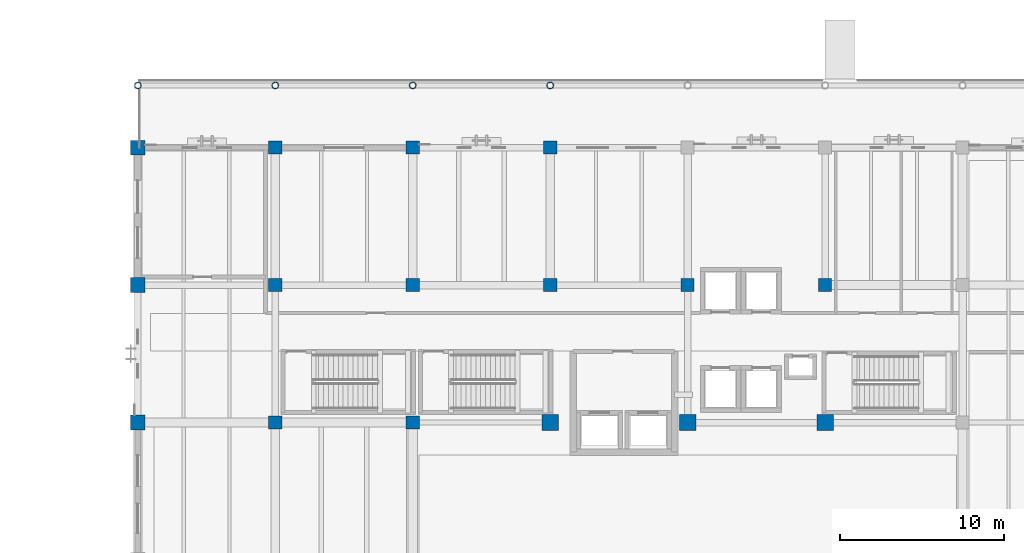
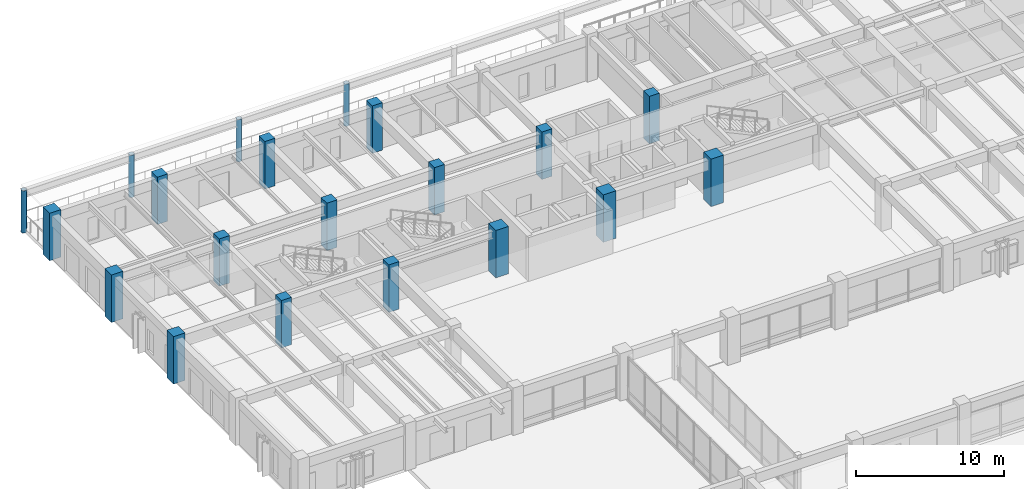
# One storey, part 11 of 135: 20 columns.
"""IFC4 building model written with IfcOpenShell, lengths in metres."""

from ifc_helpers import new_model, si_unit, direction, frame, origin, origin_2d, place, context, subcontext, project, spatial, rectangle, hollow_circle, extrude, material, material_profile, profile_set, type_object, element, save


model = new_model("IFC4")

# Units and contexts
model_context = context("Model", 3, precision=1e-05, world=origin(), true_north=direction((0.0, 1.0)))
body_context = subcontext(model_context, "Body", "Model", "MODEL_VIEW")
ifc_project = project(units=[si_unit("LENGTHUNIT", "METRE"), si_unit("AREAUNIT", "SQUARE_METRE"), si_unit("VOLUMEUNIT", "CUBIC_METRE"), si_unit("PLANEANGLEUNIT", "RADIAN"), si_unit("MASSUNIT", "GRAM", prefix="KILO")], contexts=[model_context])

# Site, building, storey
site_placement = place(None, origin())
site = spatial("IfcSite", under=ifc_project, at=site_placement, CompositionType="ELEMENT")
building_placement = place(site_placement, origin())
building = spatial("IfcBuilding", under=site, at=building_placement, Name="Cumbredor Promenade Congress Hotel", CompositionType="ELEMENT")
storey_placement = place(building_placement, origin())
storey = spatial("IfcBuildingStorey", under=building, at=storey_placement, Name="L00", CompositionType="ELEMENT", Elevation=0.0)

# Columns
ifc_material_1 = material(Name="Concrete C50/60", Category="concrete")
ifc_material_profile_1 = material_profile(ifc_material_1, rectangle(XDim=1.0, YDim=1.0, at=origin_2d()), Name="RC 1000x1000")
ifc_profile_set_1 = profile_set([ifc_material_profile_1], Name="Concrete C50/60")
column_type_1 = type_object("IfcColumnType", Name="COL-RC-1000", PredefinedType="COLUMN", material=ifc_profile_set_1)
for number, where, z_axis, x_axis, name in (
    (1, (25.199951171875, 100.800048828125, 0.0), (0.0, 0.0, 1.0), (1.0, 0.0, 0.0), "L00 Structural Column 037"),
    (2, (33.60009765625, 100.800048828125, 0.0), (0.0, 0.0, 1.0), (1.0, 0.0, 0.0), "L00 Structural Column 045"),
    (3, (42.0, 100.800048828125, 0.0), (0.0, 0.0, 1.0), (1.0, 0.0, 0.0), "L00 Structural Column 053"),
):
    element("IfcColumn", number, at=place(storey_placement, frame(where, z_axis=z_axis, x_axis=x_axis)), inside=storey, type_object=column_type_1, Name=name, PredefinedType="COLUMN", context=body_context, shape_type="SweptSolid", body=[
        extrude(rectangle(XDim=1.0, YDim=1.0, at=origin_2d()), origin(), (0.0, 0.0, 1.0), 3.919921875),
    ])
ifc_material_profile_2 = material_profile(ifc_material_1, rectangle(XDim=0.800048828125, YDim=0.800048828125, at=origin_2d()), Name="RC 800x800")
ifc_profile_set_2 = profile_set([ifc_material_profile_2], Name="Concrete C50/60")
column_type_2 = type_object("IfcColumnType", Name="COL-RC-800", PredefinedType="COLUMN", material=ifc_profile_set_2)
for number, where, z_axis, x_axis, name in (
    (4, (8.39990234375, 100.800048828125, 0.0), (0.0, 0.0, 1.0), (1.0, 0.0, 0.0), "L00 Structural Column 016"),
    (5, (8.39990234375, 109.199951171875, 0.0), (0.0, 0.0, 1.0), (1.0, 0.0, 0.0), "L00 Structural Column 017"),
    (6, (8.39990234375, 117.60009765625, 0.0), (0.0, 0.0, 1.0), (1.0, 0.0, 0.0), "L00 Structural Column 018"),
    (7, (16.800048828125, 100.800048828125, 0.0), (0.0, 0.0, 1.0), (1.0, 0.0, 0.0), "L00 Structural Column 029"),
    (8, (16.800048828125, 109.199951171875, 0.0), (0.0, 0.0, 1.0), (1.0, 0.0, 0.0), "L00 Structural Column 030"),
    (9, (16.800048828125, 117.60009765625, 0.0), (0.0, 0.0, 1.0), (1.0, 0.0, 0.0), "L00 Structural Column 031"),
    (10, (25.199951171875, 109.199951171875, 0.0), (0.0, 0.0, 1.0), (1.0, 0.0, 0.0), "L00 Structural Column 038"),
    (11, (25.199951171875, 117.60009765625, 0.0), (0.0, 0.0, 1.0), (1.0, 0.0, 0.0), "L00 Structural Column 039"),
    (12, (33.60009765625, 109.199951171875, 0.0), (0.0, 0.0, 1.0), (1.0, 0.0, 0.0), "L00 Structural Column 046"),
    (13, (42.0, 109.199951171875, 0.0), (0.0, 0.0, 1.0), (1.0, 0.0, 0.0), "L00 Structural Column 054"),
):
    element("IfcColumn", number, at=place(storey_placement, frame(where, z_axis=z_axis, x_axis=x_axis)), inside=storey, type_object=column_type_2, Name=name, PredefinedType="COLUMN", context=body_context, shape_type="SweptSolid", body=[
        extrude(rectangle(XDim=0.800048828125, YDim=0.800048828125, at=origin_2d()), origin(), (0.0, 0.0, 1.0), 3.919921875),
    ])
ifc_material_profile_3 = material_profile(ifc_material_1, rectangle(XDim=0.89990234375, YDim=0.89990234375, at=origin_2d()), Name="RC 900x900")
ifc_profile_set_3 = profile_set([ifc_material_profile_3], Name="Concrete C50/60")
column_type_3 = type_object("IfcColumnType", Name="COL-RC-900", PredefinedType="COLUMN", material=ifc_profile_set_3)
for number, where, z_axis, x_axis, name in (
    (14, (0.0, 100.800048828125, 0.0), (0.0, 0.0, 1.0), (1.0, 0.0, 0.0), "L00 Structural Column 003"),
    (15, (0.0, 109.199951171875, 0.0), (0.0, 0.0, 1.0), (1.0, 0.0, 0.0), "L00 Structural Column 004"),
    (16, (0.0, 117.60009765625, 0.0), (0.0, 0.0, 1.0), (1.0, 0.0, 0.0), "L00 Structural Column 005"),
):
    element("IfcColumn", number, at=place(storey_placement, frame(where, z_axis=z_axis, x_axis=x_axis)), inside=storey, type_object=column_type_3, Name=name, PredefinedType="COLUMN", context=body_context, shape_type="SweptSolid", body=[
        extrude(rectangle(XDim=0.89990234375, YDim=0.89990234375, at=origin_2d()), origin(), (0.0, 0.0, 1.0), 3.919921875),
    ])
ifc_material_2 = material(Name="Steel ASTM A500 Grade C", Category="steel")
ifc_material_profile_4 = material_profile(ifc_material_2, hollow_circle(Radius=0.203125, WallThickness=0.02001953125, at=origin_2d()), Name="CHS 406.4x20")
ifc_profile_set_4 = profile_set([ifc_material_profile_4], Name="Steel ASTM A500 Grade C")
column_type_4 = type_object("IfcColumnType", Name="COL-STL-CHS406", PredefinedType="COLUMN", material=ifc_profile_set_4)
for number, where, z_axis, x_axis, name in (
    (17, (0.0, 121.39990234375, -0.300048828125), (0.0, 0.0, 1.0), (1.0, 0.0, 0.0), "Promenade Colonnade Column TC-031"),
    (18, (8.39990234375, 121.39990234375, -0.300048828125), (0.0, 0.0, 1.0), (1.0, 0.0, 0.0), "Promenade Colonnade Column TC-032"),
    (19, (16.800048828125, 121.39990234375, -0.300048828125), (0.0, 0.0, 1.0), (1.0, 0.0, 0.0), "Promenade Colonnade Column TC-033"),
    (20, (25.199951171875, 121.39990234375, -0.300048828125), (0.0, 0.0, 1.0), (1.0, 0.0, 0.0), "Promenade Colonnade Column TC-034"),
):
    element("IfcColumn", number, at=place(storey_placement, frame(where, z_axis=z_axis, x_axis=x_axis)), inside=storey, type_object=column_type_4, Name=name, PredefinedType="COLUMN", context=body_context, shape_type="SweptSolid", body=[
        extrude(hollow_circle(Radius=0.203125, WallThickness=0.02001953125, at=origin_2d()), origin(), (0.0, 0.0, 1.0), 3.485107421875),
    ])

save(model, "model.ifc")
